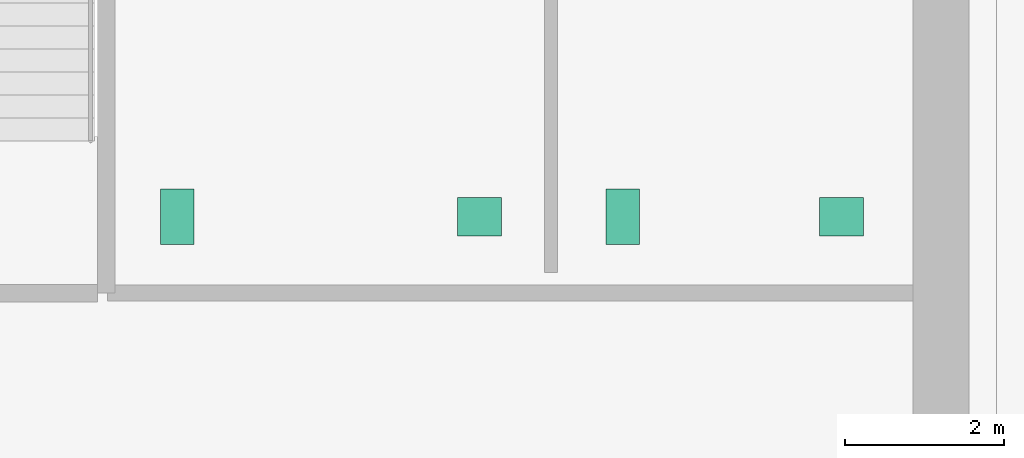
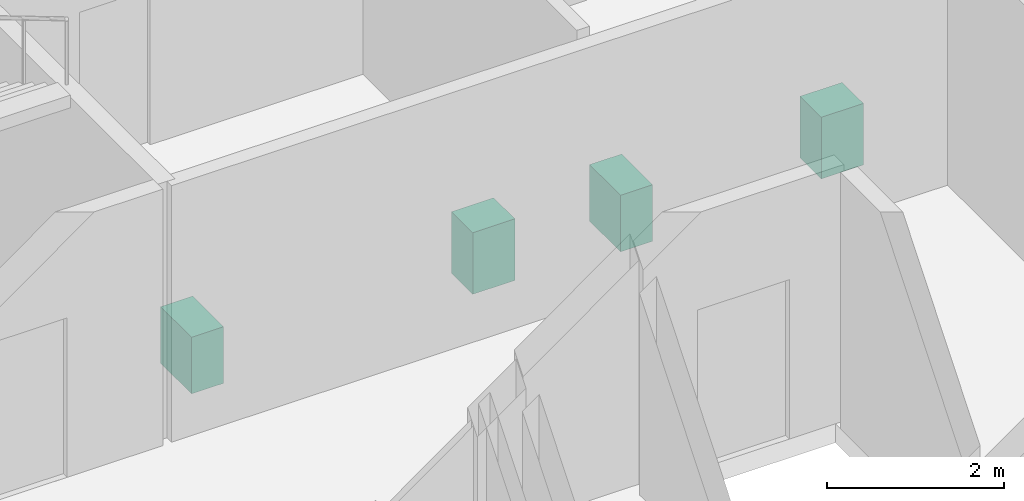
# One storey, part 13 of 13: 4 sanitary terminals.
"""IFC4 building model written with IfcOpenShell, lengths in metres."""

from ifc_helpers import new_model, si_unit, direction, frame, origin, origin_2d, place, context, subcontext, project, spatial, rectangle, extrude, material, type_object, element, save


model = new_model("IFC4")

# Units and contexts
model_context = context("Model", 3, precision=1e-05, world=origin(), true_north=direction((0.0, 1.0)))
body_context = subcontext(model_context, "Body", "Model", "MODEL_VIEW")
ifc_project = project(units=[si_unit("LENGTHUNIT", "METRE"), si_unit("AREAUNIT", "SQUARE_METRE"), si_unit("VOLUMEUNIT", "CUBIC_METRE"), si_unit("PLANEANGLEUNIT", "RADIAN"), si_unit("MASSUNIT", "GRAM", prefix="KILO")], contexts=[model_context])

# Site, building, storey
site_placement = place(None, origin())
site = spatial("IfcSite", under=ifc_project, at=site_placement, CompositionType="ELEMENT")
building_placement = place(site_placement, origin())
building = spatial("IfcBuilding", under=site, at=building_placement, Name="Norrvale University Quadrangle", CompositionType="ELEMENT")
storey_placement = place(building_placement, frame((0.0, 0.0, 163.60009765625)))
storey = spatial("IfcBuildingStorey", under=building, at=storey_placement, Name="L41", CompositionType="ELEMENT", Elevation=163.60009765625)

# Sanitary terminals
ifc_material = material(Name="Vitreous China Sanitaryware")
sanitary_terminal_type_1 = type_object("IfcSanitaryTerminalType", Name="Sanitary Wash Basin", PredefinedType="WASHHANDBASIN", material=ifc_material)
for number, where, z_axis, x_axis, name in (
    (1, (11.0, 41.10009765625, -0.000244140625), (0.0, 0.0, 1.0), (1.0, 0.0, 0.0), "Accessible Countertop Washbasin L41-1"),
    (2, (15.550048828125, 41.10009765625, -0.000244140625), (0.0, 0.0, 1.0), (1.0, 0.0, 0.0), "Accessible Countertop Washbasin L41-2"),
):
    element("IfcSanitaryTerminal", number, at=place(storey_placement, frame(where, z_axis=z_axis, x_axis=x_axis)), inside=storey, type_object=sanitary_terminal_type_1, Name=name, PredefinedType="WASHHANDBASIN", context=body_context, shape_type="SweptSolid", body=[
        extrude(rectangle(XDim=0.550048828125, YDim=0.47998046875, at=origin_2d()), origin(), (0.0, 0.0, 1.0), 0.85009765625),
    ])
sanitary_terminal_type_2 = type_object("IfcSanitaryTerminalType", Name="Sanitary Water Closet", PredefinedType="TOILETPAN", material=ifc_material)
for number, where, z_axis, x_axis, name in (
    (3, (7.199951171875, 41.10009765625, 0.0), (0.0, 0.0, 1.0), (1.0, 0.0, 0.0), "Wall-Hung Water Closet L41-1"),
    (4, (12.800048828125, 41.10009765625, 0.0), (0.0, 0.0, 1.0), (1.0, 0.0, 0.0), "Wall-Hung Water Closet L41-2"),
):
    element("IfcSanitaryTerminal", number, at=place(storey_placement, frame(where, z_axis=z_axis, x_axis=x_axis)), inside=storey, type_object=sanitary_terminal_type_2, Name=name, PredefinedType="TOILETPAN", context=body_context, shape_type="SweptSolid", body=[
        extrude(rectangle(XDim=0.419921875, YDim=0.699951171875, at=origin_2d()), origin(), (0.0, 0.0, 1.0), 0.780029296875),
    ])

save(model, "model.ifc")
